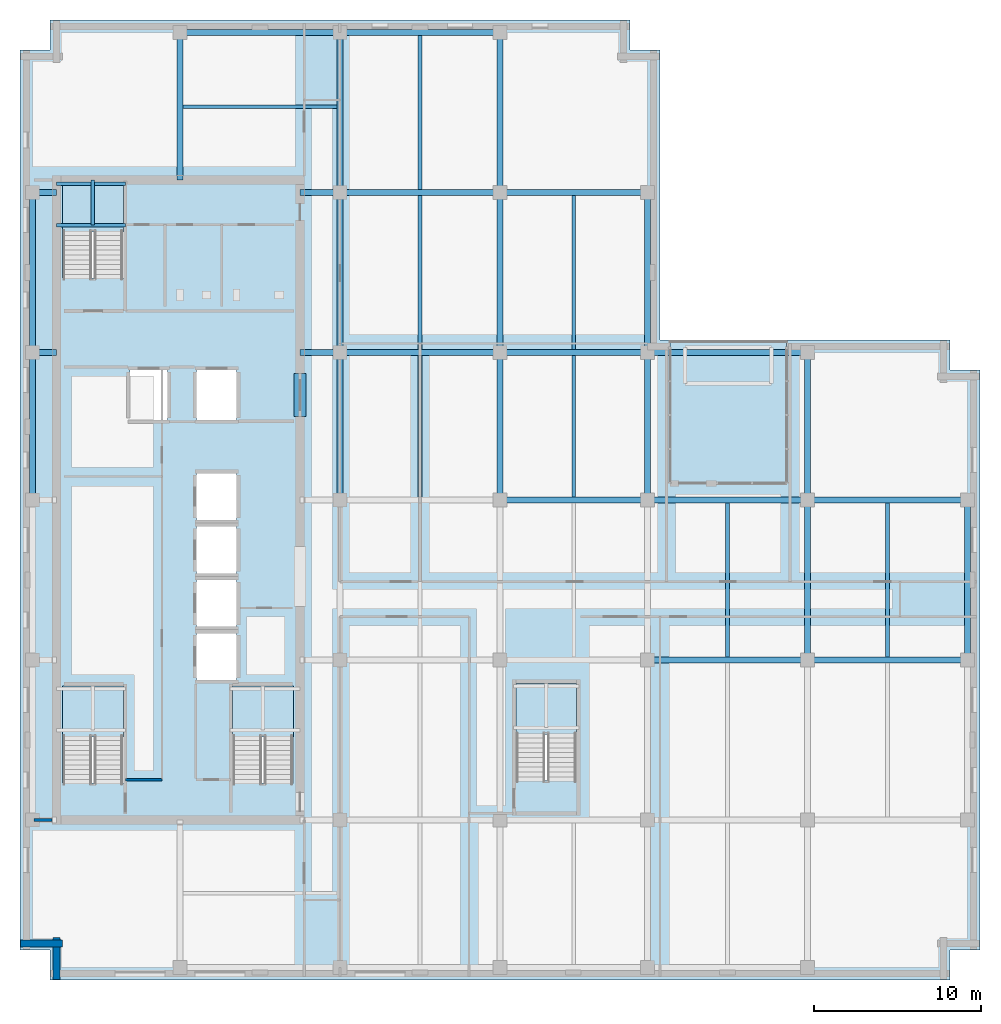
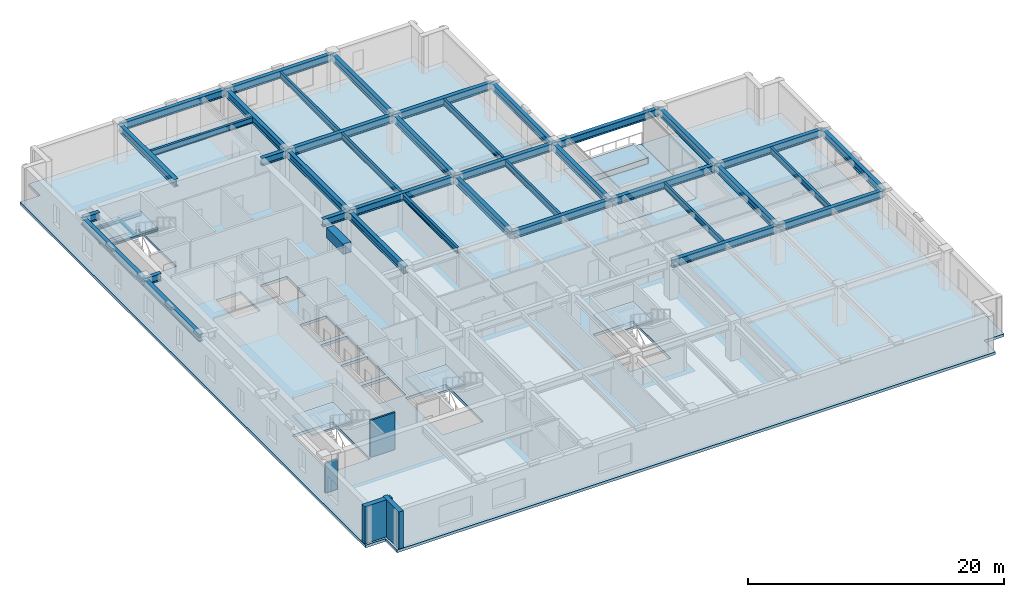
# One storey, part 2 of 14: 42 beams, 7 slabs, 4 walls, 4 elements without a shape of their own.
"""IFC4 building model written with IfcOpenShell, lengths in metres."""

from ifc_helpers import new_model, si_unit, direction, frame, frame_2d, origin, origin_2d, place, context, subcontext, project, spatial, polyline, rectangle, i_section, outline, extrude, material, layer, layer_set, material_profile, profile_set, type_object, element, aggregate, save


model = new_model("IFC4")

# Units and contexts
model_context = context("Model", 3, precision=1e-05, world=origin(), true_north=direction((0.0, 1.0)))
body_context = subcontext(model_context, "Body", "Model", "MODEL_VIEW")
ifc_project = project(units=[si_unit("LENGTHUNIT", "METRE"), si_unit("AREAUNIT", "SQUARE_METRE"), si_unit("VOLUMEUNIT", "CUBIC_METRE"), si_unit("PLANEANGLEUNIT", "RADIAN"), si_unit("MASSUNIT", "GRAM", prefix="KILO")], contexts=[model_context])

# Site, building, storey
site_placement = place(None, origin())
site = spatial("IfcSite", under=ifc_project, at=site_placement, CompositionType="ELEMENT")
building_placement = place(site_placement, origin())
building = spatial("IfcBuilding", under=site, at=building_placement, Name="Norrvale University Quadrangle", CompositionType="ELEMENT")
storey_placement = place(building_placement, frame((0.0, 0.0, 221.800048828125)))
storey = spatial("IfcBuildingStorey", under=building, at=storey_placement, Name="L56", CompositionType="ELEMENT", Elevation=221.800048828125)

# Beams
ifc_material_1 = material(Name="Steel 350W", Category="steel")
ifc_material_profile_1 = material_profile(ifc_material_1, i_section(OverallWidth=0.35498046875, OverallDepth=0.695068359375, WebThickness=0.015380859375, FlangeThickness=0.02490234375, FilletRadius=0.01806640625, at=origin_2d()), Name="Steel 350W")
ifc_profile_set_1 = profile_set([ifc_material_profile_1], Name="Steel 350W")
beam_type_1 = type_object("IfcBeamType", Name="Beam Belt W690x217", PredefinedType="BEAM", material=ifc_profile_set_1)
for number, where, z_axis, x_axis, name in (
    (1, (37.64990234375, 19.199951171875, 3.1923828125), (1.0, 0.0, 0.0), (0.0, 1.0, 0.0), "Beam Belt W690x217 BM-L56-GX011"),
    (2, (47.25, 19.199951171875, 3.1923828125), (1.0, 0.0, 0.0), (0.0, 1.0, 0.0), "Beam Belt W690x217 BM-L56-GX012"),
):
    element("IfcBeam", number, at=place(storey_placement, frame(where, z_axis=z_axis, x_axis=x_axis)), inside=storey, type_object=beam_type_1, Name=name, PredefinedType="BEAM", context=body_context, shape_type="SweptSolid", body=[
        extrude(i_section(OverallWidth=0.35498046875, OverallDepth=0.695068359375, WebThickness=0.015380859375, FlangeThickness=0.02490234375, FilletRadius=0.01806640625, at=origin_2d()), origin(), (0.0, 0.0, 1.0), 9.60009765625),
    ])
beam_1_placement = place(storey_placement, frame((28.800048828125, 28.800048828125, 3.1923828125), z_axis=(1.0, 0.0, 0.0), x_axis=(0.0, 1.0, 0.0)))
element("IfcBeam", 3, at=beam_1_placement, inside=storey, type_object=beam_type_1, Name="Beam Belt W690x217 BM-L56-GX014", PredefinedType="BEAM", context=body_context, shape_type="SweptSolid", body=[
    extrude(i_section(OverallWidth=0.35498046875, OverallDepth=0.695068359375, WebThickness=0.015380859375, FlangeThickness=0.02490234375, FilletRadius=0.01806640625, at=origin_2d()), origin(), (0.0, 0.0, 1.0), 8.849853515625),
])
for number, where, z_axis, x_axis, name in (
    (4, (37.64990234375, 28.800048828125, 3.1923828125), (1.0, 0.0, 0.0), (0.0, 1.0, 0.0), "Beam Belt W690x217 BM-L56-GX015"),
    (5, (47.25, 28.800048828125, 3.1923828125), (1.0, 0.0, 0.0), (0.0, 1.0, 0.0), "Beam Belt W690x217 BM-L56-GX016"),
    (6, (19.199951171875, 37.64990234375, 3.1923828125), (1.0, 0.0, 0.0), (0.0, 1.0, 0.0), "Beam Belt W690x217 BM-L56-GX017"),
):
    element("IfcBeam", number, at=place(storey_placement, frame(where, z_axis=z_axis, x_axis=x_axis)), inside=storey, type_object=beam_type_1, Name=name, PredefinedType="BEAM", context=body_context, shape_type="SweptSolid", body=[
        extrude(i_section(OverallWidth=0.35498046875, OverallDepth=0.695068359375, WebThickness=0.015380859375, FlangeThickness=0.02490234375, FilletRadius=0.01806640625, at=origin_2d()), origin(), (0.0, 0.0, 1.0), 9.60009765625),
    ])
beam_2_placement = place(storey_placement, frame((28.800048828125, 37.64990234375, 3.1923828125), z_axis=(1.0, 0.0, 0.0), x_axis=(0.0, 1.0, 0.0)))
element("IfcBeam", 7, at=beam_2_placement, inside=storey, type_object=beam_type_1, Name="Beam Belt W690x217 BM-L56-GX018", PredefinedType="BEAM", context=body_context, shape_type="SweptSolid", body=[
    extrude(i_section(OverallWidth=0.35498046875, OverallDepth=0.695068359375, WebThickness=0.015380859375, FlangeThickness=0.02490234375, FilletRadius=0.01806640625, at=origin_2d()), origin(), (0.0, 0.0, 1.0), 8.849853515625),
])
for number, where, z_axis, x_axis, name in (
    (8, (37.64990234375, 37.64990234375, 3.1923828125), (1.0, 0.0, 0.0), (0.0, 1.0, 0.0), "Beam Belt W690x217 BM-L56-GX019"),
    (9, (19.199951171875, 47.25, 3.1923828125), (1.0, 0.0, 0.0), (0.0, 1.0, 0.0), "Beam Belt W690x217 BM-L56-GX020"),
):
    element("IfcBeam", number, at=place(storey_placement, frame(where, z_axis=z_axis, x_axis=x_axis)), inside=storey, type_object=beam_type_1, Name=name, PredefinedType="BEAM", context=body_context, shape_type="SweptSolid", body=[
        extrude(i_section(OverallWidth=0.35498046875, OverallDepth=0.695068359375, WebThickness=0.015380859375, FlangeThickness=0.02490234375, FilletRadius=0.01806640625, at=origin_2d()), origin(), (0.0, 0.0, 1.0), 9.60009765625),
    ])
beam_3_placement = place(storey_placement, frame((28.800048828125, 47.25, 3.1923828125), z_axis=(1.0, 0.0, 0.0), x_axis=(0.0, 1.0, 0.0)))
element("IfcBeam", 10, at=beam_3_placement, inside=storey, type_object=beam_type_1, Name="Beam Belt W690x217 BM-L56-GX021", PredefinedType="BEAM", context=body_context, shape_type="SweptSolid", body=[
    extrude(i_section(OverallWidth=0.35498046875, OverallDepth=0.695068359375, WebThickness=0.015380859375, FlangeThickness=0.02490234375, FilletRadius=0.01806640625, at=origin_2d()), origin(), (0.0, 0.0, 1.0), 8.849853515625),
])
beam_4_placement = place(storey_placement, frame((9.60009765625, 56.85009765625, 3.1923828125), z_axis=(1.0, 0.0, 0.0), x_axis=(0.0, 1.0, 0.0)))
element("IfcBeam", 11, at=beam_4_placement, inside=storey, type_object=beam_type_1, Name="Beam Belt W690x217 BM-L56-GX022", PredefinedType="BEAM", context=body_context, shape_type="SweptSolid", body=[
    extrude(i_section(OverallWidth=0.35498046875, OverallDepth=0.695068359375, WebThickness=0.015380859375, FlangeThickness=0.02490234375, FilletRadius=0.01806640625, at=origin_2d()), origin(), (0.0, 0.0, 1.0), 9.599853515625),
])
beam_5_placement = place(storey_placement, frame((19.199951171875, 56.85009765625, 3.1923828125), z_axis=(1.0, 0.0, 0.0), x_axis=(0.0, 1.0, 0.0)))
element("IfcBeam", 12, at=beam_5_placement, inside=storey, type_object=beam_type_1, Name="Beam Belt W690x217 BM-L56-GX023", PredefinedType="BEAM", context=body_context, shape_type="SweptSolid", body=[
    extrude(i_section(OverallWidth=0.35498046875, OverallDepth=0.695068359375, WebThickness=0.015380859375, FlangeThickness=0.02490234375, FilletRadius=0.01806640625, at=origin_2d()), origin(), (0.0, 0.0, 1.0), 9.60009765625),
])
beam_6_placement = place(storey_placement, frame((0.75, 28.800048828125, 3.1923828125), z_axis=(0.0, 1.0, 0.0), x_axis=(-1.0, 0.0, 0.0)))
element("IfcBeam", 13, at=beam_6_placement, inside=storey, type_object=beam_type_1, Name="Beam Belt W690x217 BM-L56-GY026", PredefinedType="BEAM", context=body_context, shape_type="SweptSolid", body=[
    extrude(i_section(OverallWidth=0.35498046875, OverallDepth=0.695068359375, WebThickness=0.015380859375, FlangeThickness=0.02490234375, FilletRadius=0.01806640625, at=origin_2d()), origin(), (0.0, 0.0, 1.0), 8.849853515625),
])
beam_7_placement = place(storey_placement, frame((0.75, 37.64990234375, 3.1923828125), z_axis=(0.0, 1.0, 0.0), x_axis=(-1.0, 0.0, 0.0)))
element("IfcBeam", 14, at=beam_7_placement, inside=storey, type_object=beam_type_1, Name="Beam Belt W690x217 BM-L56-GY027", PredefinedType="BEAM", context=body_context, shape_type="SweptSolid", body=[
    extrude(i_section(OverallWidth=0.35498046875, OverallDepth=0.695068359375, WebThickness=0.015380859375, FlangeThickness=0.02490234375, FilletRadius=0.01806640625, at=origin_2d()), origin(), (0.0, 0.0, 1.0), 9.60009765625),
])
beam_8_placement = place(storey_placement, frame((19.199951171875, 28.800048828125, 3.1923828125), z_axis=(0.0, 1.0, 0.0), x_axis=(-1.0, 0.0, 0.0)))
element("IfcBeam", 15, at=beam_8_placement, inside=storey, type_object=beam_type_1, Name="Beam Belt W690x217 BM-L56-GY031", PredefinedType="BEAM", context=body_context, shape_type="SweptSolid", body=[
    extrude(i_section(OverallWidth=0.35498046875, OverallDepth=0.695068359375, WebThickness=0.015380859375, FlangeThickness=0.02490234375, FilletRadius=0.01806640625, at=origin_2d()), origin(), (0.0, 0.0, 1.0), 8.849853515625),
])
for number, where, z_axis, x_axis, name in (
    (16, (19.199951171875, 37.64990234375, 3.1923828125), (0.0, 1.0, 0.0), (-1.0, 0.0, 0.0), "Beam Belt W690x217 BM-L56-GY032"),
    (17, (19.199951171875, 47.25, 3.1923828125), (0.0, 1.0, 0.0), (-1.0, 0.0, 0.0), "Beam Belt W690x217 BM-L56-GY033"),
):
    element("IfcBeam", number, at=place(storey_placement, frame(where, z_axis=z_axis, x_axis=x_axis)), inside=storey, type_object=beam_type_1, Name=name, PredefinedType="BEAM", context=body_context, shape_type="SweptSolid", body=[
        extrude(i_section(OverallWidth=0.35498046875, OverallDepth=0.695068359375, WebThickness=0.015380859375, FlangeThickness=0.02490234375, FilletRadius=0.01806640625, at=origin_2d()), origin(), (0.0, 0.0, 1.0), 9.60009765625),
    ])
beam_9_placement = place(storey_placement, frame((28.800048828125, 28.800048828125, 3.1923828125), z_axis=(0.0, 1.0, 0.0), x_axis=(-1.0, 0.0, 0.0)))
element("IfcBeam", 18, at=beam_9_placement, inside=storey, type_object=beam_type_1, Name="Beam Belt W690x217 BM-L56-GY037", PredefinedType="BEAM", context=body_context, shape_type="SweptSolid", body=[
    extrude(i_section(OverallWidth=0.35498046875, OverallDepth=0.695068359375, WebThickness=0.015380859375, FlangeThickness=0.02490234375, FilletRadius=0.01806640625, at=origin_2d()), origin(), (0.0, 0.0, 1.0), 8.849853515625),
])
for number, where, z_axis, x_axis, name in (
    (19, (28.800048828125, 37.64990234375, 3.1923828125), (0.0, 1.0, 0.0), (-1.0, 0.0, 0.0), "Beam Belt W690x217 BM-L56-GY038"),
    (20, (28.800048828125, 47.25, 3.1923828125), (0.0, 1.0, 0.0), (-1.0, 0.0, 0.0), "Beam Belt W690x217 BM-L56-GY039"),
):
    element("IfcBeam", number, at=place(storey_placement, frame(where, z_axis=z_axis, x_axis=x_axis)), inside=storey, type_object=beam_type_1, Name=name, PredefinedType="BEAM", context=body_context, shape_type="SweptSolid", body=[
        extrude(i_section(OverallWidth=0.35498046875, OverallDepth=0.695068359375, WebThickness=0.015380859375, FlangeThickness=0.02490234375, FilletRadius=0.01806640625, at=origin_2d()), origin(), (0.0, 0.0, 1.0), 9.60009765625),
    ])
beam_10_placement = place(storey_placement, frame((37.64990234375, 28.800048828125, 3.1923828125), z_axis=(0.0, 1.0, 0.0), x_axis=(-1.0, 0.0, 0.0)))
element("IfcBeam", 21, at=beam_10_placement, inside=storey, type_object=beam_type_1, Name="Beam Belt W690x217 BM-L56-GY043", PredefinedType="BEAM", context=body_context, shape_type="SweptSolid", body=[
    extrude(i_section(OverallWidth=0.35498046875, OverallDepth=0.695068359375, WebThickness=0.015380859375, FlangeThickness=0.02490234375, FilletRadius=0.01806640625, at=origin_2d()), origin(), (0.0, 0.0, 1.0), 8.849853515625),
])
for number, where, z_axis, x_axis, name in (
    (22, (37.64990234375, 37.64990234375, 3.1923828125), (0.0, 1.0, 0.0), (-1.0, 0.0, 0.0), "Beam Belt W690x217 BM-L56-GY044"),
    (23, (47.25, 19.199951171875, 3.1923828125), (0.0, 1.0, 0.0), (-1.0, 0.0, 0.0), "Beam Belt W690x217 BM-L56-GY047"),
):
    element("IfcBeam", number, at=place(storey_placement, frame(where, z_axis=z_axis, x_axis=x_axis)), inside=storey, type_object=beam_type_1, Name=name, PredefinedType="BEAM", context=body_context, shape_type="SweptSolid", body=[
        extrude(i_section(OverallWidth=0.35498046875, OverallDepth=0.695068359375, WebThickness=0.015380859375, FlangeThickness=0.02490234375, FilletRadius=0.01806640625, at=origin_2d()), origin(), (0.0, 0.0, 1.0), 9.60009765625),
    ])
beam_11_placement = place(storey_placement, frame((47.25, 28.800048828125, 3.1923828125), z_axis=(0.0, 1.0, 0.0), x_axis=(-1.0, 0.0, 0.0)))
element("IfcBeam", 24, at=beam_11_placement, inside=storey, type_object=beam_type_1, Name="Beam Belt W690x217 BM-L56-GY048", PredefinedType="BEAM", context=body_context, shape_type="SweptSolid", body=[
    extrude(i_section(OverallWidth=0.35498046875, OverallDepth=0.695068359375, WebThickness=0.015380859375, FlangeThickness=0.02490234375, FilletRadius=0.01806640625, at=origin_2d()), origin(), (0.0, 0.0, 1.0), 8.849853515625),
])
beam_12_placement = place(storey_placement, frame((56.85009765625, 19.199951171875, 3.1923828125), z_axis=(0.0, 1.0, 0.0), x_axis=(-1.0, 0.0, 0.0)))
element("IfcBeam", 25, at=beam_12_placement, inside=storey, type_object=beam_type_1, Name="Beam Belt W690x217 BM-L56-GY050", PredefinedType="BEAM", context=body_context, shape_type="SweptSolid", body=[
    extrude(i_section(OverallWidth=0.35498046875, OverallDepth=0.695068359375, WebThickness=0.015380859375, FlangeThickness=0.02490234375, FilletRadius=0.01806640625, at=origin_2d()), origin(), (0.0, 0.0, 1.0), 9.60009765625),
])
beam_13_placement = place(storey_placement, frame((0.75, 37.64990234375, 3.1923828125), z_axis=(1.0, 0.0, 0.0), x_axis=(0.0, 1.0, 0.0)))
element("IfcBeam", 26, at=beam_13_placement, inside=storey, type_object=beam_type_1, Name="Beam Belt W690x217 BM-L56-GCW057", PredefinedType="BEAM", context=body_context, shape_type="SweptSolid", body=[
    extrude(i_section(OverallWidth=0.35498046875, OverallDepth=0.695068359375, WebThickness=0.015380859375, FlangeThickness=0.02490234375, FilletRadius=0.01806640625, at=origin_2d()), origin(), (0.0, 0.0, 1.0), 1.449951171875),
])
beam_14_placement = place(storey_placement, frame((16.800048828125, 37.64990234375, 3.1923828125), z_axis=(1.0, 0.0, 0.0), x_axis=(0.0, 1.0, 0.0)))
element("IfcBeam", 27, at=beam_14_placement, inside=storey, type_object=beam_type_1, Name="Beam Belt W690x217 BM-L56-GCE058", PredefinedType="BEAM", context=body_context, shape_type="SweptSolid", body=[
    extrude(i_section(OverallWidth=0.35498046875, OverallDepth=0.695068359375, WebThickness=0.015380859375, FlangeThickness=0.02490234375, FilletRadius=0.01806640625, at=origin_2d()), origin(), (0.0, 0.0, 1.0), 2.39990234375),
])
beam_15_placement = place(storey_placement, frame((0.75, 47.25, 3.1923828125), z_axis=(1.0, 0.0, 0.0), x_axis=(0.0, 1.0, 0.0)))
element("IfcBeam", 28, at=beam_15_placement, inside=storey, type_object=beam_type_1, Name="Beam Belt W690x217 BM-L56-GCW059", PredefinedType="BEAM", context=body_context, shape_type="SweptSolid", body=[
    extrude(i_section(OverallWidth=0.35498046875, OverallDepth=0.695068359375, WebThickness=0.015380859375, FlangeThickness=0.02490234375, FilletRadius=0.01806640625, at=origin_2d()), origin(), (0.0, 0.0, 1.0), 1.449951171875),
])
beam_16_placement = place(storey_placement, frame((16.800048828125, 47.25, 3.1923828125), z_axis=(1.0, 0.0, 0.0), x_axis=(0.0, 1.0, 0.0)))
element("IfcBeam", 29, at=beam_16_placement, inside=storey, type_object=beam_type_1, Name="Beam Belt W690x217 BM-L56-GCE060", PredefinedType="BEAM", context=body_context, shape_type="SweptSolid", body=[
    extrude(i_section(OverallWidth=0.35498046875, OverallDepth=0.695068359375, WebThickness=0.015380859375, FlangeThickness=0.02490234375, FilletRadius=0.01806640625, at=origin_2d()), origin(), (0.0, 0.0, 1.0), 2.39990234375),
])
beam_17_placement = place(storey_placement, frame((9.60009765625, 48.0, 3.1923828125), z_axis=(0.0, 1.0, 0.0), x_axis=(-1.0, 0.0, 0.0)))
element("IfcBeam", 30, at=beam_17_placement, inside=storey, type_object=beam_type_1, Name="Beam Belt W690x217 BM-L56-GCN078", PredefinedType="BEAM", context=body_context, shape_type="SweptSolid", body=[
    extrude(i_section(OverallWidth=0.35498046875, OverallDepth=0.695068359375, WebThickness=0.015380859375, FlangeThickness=0.02490234375, FilletRadius=0.01806640625, at=origin_2d()), origin(), (0.0, 0.0, 1.0), 8.85009765625),
])
ifc_material_2 = material(Name="Concrete C80/95", Category="concrete")
ifc_material_profile_2 = material_profile(ifc_material_2, rectangle(XDim=0.699951171875, YDim=0.949951171875, at=origin_2d()), Name="Concrete C80/95")
ifc_profile_set_2 = profile_set([ifc_material_profile_2], Name="Concrete C80/95")
beam_type_2 = type_object("IfcBeamType", Name="Beam Core Link 700x950", PredefinedType="LINTEL", material=ifc_profile_set_2)
beam_18_placement = place(storey_placement, frame((16.800048828125, 33.800048828125, 3.06494140625), z_axis=(0.0, 1.0, 0.0), x_axis=(-1.0, 0.0, 0.0)))
element("IfcBeam", 31, at=beam_18_placement, inside=storey, type_object=beam_type_2, Name="Core Coupling Lintel Beam L56-2", PredefinedType="LINTEL", context=body_context, shape_type="SweptSolid", body=[
    extrude(rectangle(XDim=0.699951171875, YDim=0.949951171875, at=origin_2d()), origin(), (0.0, 0.0, 1.0), 2.599853515625),
])
ifc_material_profile_3 = material_profile(ifc_material_1, i_section(OverallWidth=0.2119140625, OverallDepth=0.5439453125, WebThickness=0.01318359375, FlangeThickness=0.021240234375, FilletRadius=0.013916015625, at=origin_2d()), Name="Steel 350W")
ifc_profile_set_3 = profile_set([ifc_material_profile_3], Name="Steel 350W")
beam_type_3 = type_object("IfcBeamType", Name="Beam Floor W530x123", PredefinedType="BEAM", material=ifc_profile_set_3)
beam_19_placement = place(storey_placement, frame((24.0, 28.9775390625, 3.26806640625), z_axis=(0.0, 1.0, 0.0), x_axis=(-1.0, 0.0, 0.0)))
element("IfcBeam", 32, at=beam_19_placement, inside=storey, type_object=beam_type_3, Name="Beam Floor W530x123 BM-L56-J064", PredefinedType="BEAM", context=body_context, shape_type="SweptSolid", body=[
    extrude(i_section(OverallWidth=0.2119140625, OverallDepth=0.5439453125, WebThickness=0.01318359375, FlangeThickness=0.021240234375, FilletRadius=0.013916015625, at=origin_2d()), origin(), (0.0, 0.0, 1.0), 8.494873046875),
])
for number, where, z_axis, x_axis, name in (
    (33, (24.0, 37.827392578125, 3.26806640625), (0.0, 1.0, 0.0), (-1.0, 0.0, 0.0), "Beam Floor W530x123 BM-L56-J065"),
    (34, (24.0, 47.427490234375, 3.26806640625), (0.0, 1.0, 0.0), (-1.0, 0.0, 0.0), "Beam Floor W530x123 BM-L56-J066"),
):
    element("IfcBeam", number, at=place(storey_placement, frame(where, z_axis=z_axis, x_axis=x_axis)), inside=storey, type_object=beam_type_3, Name=name, PredefinedType="BEAM", context=body_context, shape_type="SweptSolid", body=[
        extrude(i_section(OverallWidth=0.2119140625, OverallDepth=0.5439453125, WebThickness=0.01318359375, FlangeThickness=0.021240234375, FilletRadius=0.013916015625, at=origin_2d()), origin(), (0.0, 0.0, 1.0), 9.2451171875),
    ])
beam_20_placement = place(storey_placement, frame((33.22509765625, 28.9775390625, 3.26806640625), z_axis=(0.0, 1.0, 0.0), x_axis=(-1.0, 0.0, 0.0)))
element("IfcBeam", 35, at=beam_20_placement, inside=storey, type_object=beam_type_3, Name="Beam Floor W530x123 BM-L56-J069", PredefinedType="BEAM", context=body_context, shape_type="SweptSolid", body=[
    extrude(i_section(OverallWidth=0.2119140625, OverallDepth=0.5439453125, WebThickness=0.01318359375, FlangeThickness=0.021240234375, FilletRadius=0.013916015625, at=origin_2d()), origin(), (0.0, 0.0, 1.0), 8.494873046875),
])
for number, where, z_axis, x_axis, name in (
    (36, (33.22509765625, 37.827392578125, 3.26806640625), (0.0, 1.0, 0.0), (-1.0, 0.0, 0.0), "Beam Floor W530x123 BM-L56-J070"),
    (37, (42.449951171875, 19.37744140625, 3.26806640625), (0.0, 1.0, 0.0), (-1.0, 0.0, 0.0), "Beam Floor W530x123 BM-L56-J073"),
    (38, (52.050048828125, 19.37744140625, 3.26806640625), (0.0, 1.0, 0.0), (-1.0, 0.0, 0.0), "Beam Floor W530x123 BM-L56-J075"),
):
    element("IfcBeam", number, at=place(storey_placement, frame(where, z_axis=z_axis, x_axis=x_axis)), inside=storey, type_object=beam_type_3, Name=name, PredefinedType="BEAM", context=body_context, shape_type="SweptSolid", body=[
        extrude(i_section(OverallWidth=0.2119140625, OverallDepth=0.5439453125, WebThickness=0.01318359375, FlangeThickness=0.021240234375, FilletRadius=0.013916015625, at=origin_2d()), origin(), (0.0, 0.0, 1.0), 9.2451171875),
    ])
beam_21_placement = place(storey_placement, frame((9.777587890625, 52.39990234375, 3.26806640625), z_axis=(1.0, 0.0, 0.0), x_axis=(0.0, 1.0, 0.0)))
element("IfcBeam", 39, at=beam_21_placement, inside=storey, type_object=beam_type_3, Name="Beam Floor W530x123 BM-L56-JCN079", PredefinedType="BEAM", context=body_context, shape_type="SweptSolid", body=[
    extrude(i_section(OverallWidth=0.2119140625, OverallDepth=0.5439453125, WebThickness=0.01318359375, FlangeThickness=0.021240234375, FilletRadius=0.013916015625, at=origin_2d()), origin(), (0.0, 0.0, 1.0), 9.244873046875),
])
ifc_material_profile_4 = material_profile(ifc_material_1, i_section(OverallWidth=0.201904296875, OverallDepth=0.2470703125, WebThickness=0.00732421875, FlangeThickness=0.010986328125, FilletRadius=0.011962890625, at=origin_2d()), Name="Steel 350W")
ifc_profile_set_4 = profile_set([ifc_material_profile_4], Name="Steel 350W")
beam_type_4 = type_object("IfcBeamType", Name="Beam Stair W250x49", PredefinedType="BEAM", material=ifc_profile_set_4)
for number, where, z_axis, x_axis, name in (
    (40, (2.199951171875, 45.2900390625, 1.576416015625), (1.0, 0.0, 0.0), (0.0, 1.0, 0.0), "Stair Mid-Landing Front Beam ST-02 L56"),
    (41, (2.199951171875, 47.77001953125, 1.576416015625), (1.0, 0.0, 0.0), (0.0, 1.0, 0.0), "Stair Mid-Landing Rear Beam ST-02 L56"),
):
    element("IfcBeam", number, at=place(storey_placement, frame(where, z_axis=z_axis, x_axis=x_axis)), inside=storey, type_object=beam_type_4, Name=name, PredefinedType="BEAM", context=body_context, shape_type="SweptSolid", body=[
        extrude(i_section(OverallWidth=0.201904296875, OverallDepth=0.2470703125, WebThickness=0.00732421875, FlangeThickness=0.010986328125, FilletRadius=0.011962890625, at=origin_2d()), origin(), (0.0, 0.0, 1.0), 4.14013671875),
    ])
ifc_material_profile_5 = material_profile(ifc_material_1, i_section(OverallWidth=0.202880859375, OverallDepth=0.202880859375, WebThickness=0.007080078125, FlangeThickness=0.010986328125, FilletRadius=0.010009765625, at=origin_2d()), Name="Steel 350W")
ifc_profile_set_5 = profile_set([ifc_material_profile_5], Name="Steel 350W")
beam_type_5 = type_object("IfcBeamType", Name="Beam Trim W200x46", PredefinedType="BEAM", material=ifc_profile_set_5)
beam_22_placement = place(storey_placement, frame((4.375, 45.2900390625, 1.598388671875), z_axis=(0.0, 1.0, 0.0), x_axis=(-1.0, 0.0, 0.0)))
element("IfcBeam", 42, at=beam_22_placement, inside=storey, type_object=beam_type_5, Name="Stair Mid-Landing Cross Beam ST-02 L56", PredefinedType="BEAM", context=body_context, shape_type="SweptSolid", body=[
    extrude(i_section(OverallWidth=0.202880859375, OverallDepth=0.202880859375, WebThickness=0.007080078125, FlangeThickness=0.010986328125, FilletRadius=0.010009765625, at=origin_2d()), origin(), (0.0, 0.0, 1.0), 2.7099609375),
])

# Stair, slab
ifc_material_3 = material(Name="Concrete C40/50", Category="concrete")
stair_type = type_object("IfcStairType", Name="Stair Tower Typ 3800", PredefinedType="TWO_STRAIGHT_RUN_STAIR", material=ifc_material_3)
stair_1_placement = place(storey_placement, origin())
stair_1 = element("IfcStair", 43, at=stair_1_placement, inside=storey, type_object=stair_type, Name="Exit Stair ST-01 L56", PredefinedType="TWO_STRAIGHT_RUN_STAIR")
ifc_layer_1 = layer(ifc_material_3, 0.199951171875, Name="Concrete C40/50")
ifc_layer_set_1 = layer_set([ifc_layer_1], Name="Concrete C40/50")
slab_type_1 = type_object("IfcSlabType", Name="Slab Landing 200", PredefinedType="LANDING", material=ifc_layer_set_1)
slab_1_placement = place(storey_placement, frame((0.0, 0.0, 1.699951171875)))
slab_1 = element("IfcSlab", 44, at=slab_1_placement, type_object=slab_type_1, Name="Exit Stair ST-01 L56 Mid Landing", PredefinedType="LANDING", context=body_context, shape_type="SweptSolid", body=[
    extrude(outline(polyline([(2.550048828125, 14.590087890625), (6.199951171875, 14.590087890625), (6.199951171875, 17.64990234375), (2.550048828125, 17.64990234375), (2.550048828125, 14.590087890625)])), origin(), (0.0, 0.0, 1.0), 0.199951171875),
])
aggregate(stair_1, [slab_1])

stair_2_placement = place(storey_placement, origin())
stair_2 = element("IfcStair", 45, at=stair_2_placement, inside=storey, type_object=stair_type, Name="Exit Stair ST-02 L56", PredefinedType="TWO_STRAIGHT_RUN_STAIR")
slab_2_placement = place(storey_placement, frame((0.0, 0.0, 1.699951171875)))
slab_2 = element("IfcSlab", 46, at=slab_2_placement, type_object=slab_type_1, Name="Exit Stair ST-02 L56 Mid Landing", PredefinedType="LANDING", context=body_context, shape_type="SweptSolid", body=[
    extrude(outline(polyline([(2.550048828125, 44.889892578125), (6.199951171875, 44.889892578125), (6.199951171875, 47.949951171875), (2.550048828125, 47.949951171875), (2.550048828125, 44.889892578125)])), origin(), (0.0, 0.0, 1.0), 0.199951171875),
])
aggregate(stair_2, [slab_2])

stair_3_placement = place(storey_placement, origin())
stair_3 = element("IfcStair", 47, at=stair_3_placement, inside=storey, type_object=stair_type, Name="Exit Stair ST-03 L56", PredefinedType="TWO_STRAIGHT_RUN_STAIR")
slab_3_placement = place(storey_placement, frame((0.0, 0.0, 1.699951171875)))
slab_3 = element("IfcSlab", 48, at=slab_3_placement, type_object=slab_type_1, Name="Exit Stair ST-03 L56 Mid Landing", PredefinedType="LANDING", context=body_context, shape_type="SweptSolid", body=[
    extrude(outline(polyline([(12.75, 14.590087890625), (16.39990234375, 14.590087890625), (16.39990234375, 17.64990234375), (12.75, 17.64990234375), (12.75, 14.590087890625)])), origin(), (0.0, 0.0, 1.0), 0.199951171875),
])
aggregate(stair_3, [slab_3])

stair_4_placement = place(storey_placement, origin())
stair_4 = element("IfcStair", 49, at=stair_4_placement, inside=storey, type_object=stair_type, Name="Exit Stair ST-04 L56", PredefinedType="TWO_STRAIGHT_RUN_STAIR")
slab_4_placement = place(storey_placement, frame((0.0, 0.0, 1.699951171875)))
slab_4 = element("IfcSlab", 50, at=slab_4_placement, type_object=slab_type_1, Name="Exit Stair ST-04 L56 Mid Landing", PredefinedType="LANDING", context=body_context, shape_type="SweptSolid", body=[
    extrude(outline(polyline([(29.75, 14.739990234375), (33.39990234375, 14.739990234375), (33.39990234375, 17.800048828125), (29.75, 17.800048828125), (29.75, 14.739990234375)])), origin(), (0.0, 0.0, 1.0), 0.199951171875),
])
aggregate(stair_4, [slab_4])

# Slabs
ifc_material_4 = material(Name="Planted Soil Growing Medium")
ifc_layer_2 = layer(ifc_material_4, 0.570068359375, Name="Planted Soil Growing Medium")
ifc_layer_set_2 = layer_set([ifc_layer_2], Name="Planted Soil Growing Medium")
slab_type_2 = type_object("IfcSlabType", Name="Slab Planter Soil 550", PredefinedType="USERDEFINED", material=ifc_layer_set_2)
slab_5_placement = place(storey_placement, frame((0.0, 0.0, -0.02001953125)))
element("IfcSlab", 51, at=slab_5_placement, inside=storey, type_object=slab_type_2, Name="Sky Garden Planted Soil Bed L56", ObjectType="PLANTER", PredefinedType="USERDEFINED", context=body_context, shape_type="SweptSolid", body=[
    extrude(outline(polyline([(39.89990234375, 35.800048828125), (45.10009765625, 35.800048828125), (45.10009765625, 37.949951171875), (39.89990234375, 37.949951171875), (39.89990234375, 35.800048828125)])), origin(), (0.0, 0.0, 1.0), 0.570068359375),
])
ifc_material_5 = material(Name="Concrete C50/60", Category="concrete")
ifc_layer_3 = layer(ifc_material_5, 0.300048828125, Name="Concrete C50/60")
ifc_layer_set_3 = layer_set([ifc_layer_3], Name="Concrete C50/60")
slab_type_3 = type_object("IfcSlabType", Name="Slab Sky Garden 300", PredefinedType="ROOF", material=ifc_layer_set_3)
slab_6_placement = place(storey_placement, frame((0.0, 0.0, -0.300048828125)))
element("IfcSlab", 52, at=slab_6_placement, inside=storey, type_object=slab_type_3, Name="Planted Sky Garden Terrace Slab L56", PredefinedType="ROOF", context=body_context, shape_type="SweptSolid", body=[
    extrude(outline(polyline([(39.0, 29.800048828125), (46.0, 29.800048828125), (46.0, 38.39990234375), (39.0, 38.39990234375), (39.0, 29.800048828125)])), origin(), (0.0, 0.0, 1.0), 0.300048828125),
])
ifc_layer_4 = layer(ifc_material_3, 0.260009765625, Name="Concrete C40/50")
ifc_layer_set_4 = layer_set([ifc_layer_4], Name="Concrete C40/50")
slab_type_4 = type_object("IfcSlabType", Name="Slab Tower Typ 260", PredefinedType="FLOOR", material=ifc_layer_set_4)
slab_7_placement = place(storey_placement, frame((0.0, 0.0, -0.260009765625)))
element("IfcSlab", 53, at=slab_7_placement, inside=storey, type_object=slab_type_4, Name="Tower L56 Floor Slab", PredefinedType="FLOOR", context=body_context, shape_type="SweptSolid", body=[
    extrude(outline(polyline([(55.800048828125, 38.39990234375), (55.800048828125, 36.60009765625), (57.60009765625, 36.60009765625), (57.60009765625, 1.800048828125), (55.800048828125, 1.800048828125), (55.800048828125, 0.0), (1.800048828125, 0.0), (1.800048828125, 1.800048828125), (0.0, 1.800048828125), (0.0, 55.800048828125), (1.800048828125, 55.800048828125), (1.800048828125, 57.60009765625), (36.60009765625, 57.60009765625), (36.60009765625, 55.800048828125), (38.39990234375, 55.800048828125), (38.39990234375, 38.39990234375), (39.0, 38.39990234375), (39.0, 29.800048828125), (46.0, 29.800048828125), (46.0, 38.39990234375), (55.800048828125, 38.39990234375)]), holes=[polyline([(2.550048828125, 11.81005859375), (6.199951171875, 11.81005859375), (6.199951171875, 17.64990234375), (2.550048828125, 17.64990234375), (2.550048828125, 11.81005859375)]), polyline([(2.550048828125, 42.110107421875), (6.199951171875, 42.110107421875), (6.199951171875, 47.949951171875), (2.550048828125, 47.949951171875), (2.550048828125, 42.110107421875)]), polyline([(12.75, 11.81005859375), (16.39990234375, 11.81005859375), (16.39990234375, 17.64990234375), (12.75, 17.64990234375), (12.75, 11.81005859375)]), polyline([(29.75, 11.9599609375), (33.39990234375, 11.9599609375), (33.39990234375, 17.800048828125), (29.75, 17.800048828125), (29.75, 11.9599609375)]), polyline([(10.60009765625, 18.0), (13.0, 18.0), (13.0, 20.800048828125), (10.60009765625, 20.800048828125), (10.60009765625, 18.0)]), polyline([(10.60009765625, 21.199951171875), (13.0, 21.199951171875), (13.0, 24.0), (10.60009765625, 24.0), (10.60009765625, 21.199951171875)]), polyline([(10.60009765625, 24.39990234375), (13.0, 24.39990234375), (13.0, 27.199951171875), (10.60009765625, 27.199951171875), (10.60009765625, 24.39990234375)]), polyline([(10.60009765625, 27.60009765625), (13.0, 27.60009765625), (13.0, 30.39990234375), (10.60009765625, 30.39990234375), (10.60009765625, 27.60009765625)]), polyline([(6.60009765625, 33.60009765625), (8.85009765625, 33.60009765625), (8.85009765625, 36.60009765625), (6.60009765625, 36.60009765625), (6.60009765625, 33.60009765625)]), polyline([(10.60009765625, 33.60009765625), (13.0, 33.60009765625), (13.0, 36.60009765625), (10.60009765625, 36.60009765625), (10.60009765625, 33.60009765625)])]), origin(), (0.0, 0.0, 1.0), 0.260009765625),
])

# Walls
ifc_material_6 = material(Name="Buff Norman Clay Brick Masonry", Category="masonry")
ifc_layer_5 = layer(ifc_material_6, 0.419921875, Name="Buff Norman Clay Brick Masonry")
ifc_layer_set_5 = layer_set([ifc_layer_5], Name="Buff Norman Clay Brick Masonry")
wall_type_1 = type_object("IfcWallType", Name="Wall Buff Brick 420", PredefinedType="SOLIDWALL", material=ifc_layer_set_5)
for number, where, z_axis, x_axis, name in (
    (54, (0.0400390625, 2.18994140625, 0.0), (0.0, 0.0, 1.0), (1.0, 0.0, 0.0), "Exterior Brick Facade Wall L56-15.1"),
    (55, (2.18994140625, 2.5400390625, 0.0), (0.0, 0.0, 1.0), (0.0, -1.0, 0.0), "Exterior Brick Facade Wall L56-16.1"),
):
    element("IfcWall", number, at=place(storey_placement, frame(where, z_axis=z_axis, x_axis=x_axis)), inside=storey, type_object=wall_type_1, Name=name, PredefinedType="SOLIDWALL", context=body_context, shape_type="SweptSolid", body=[
        extrude(rectangle(XDim=2.5, YDim=0.419921875, at=frame_2d((1.25, 0.0))), origin(), (0.0, 0.0, 1.0), 3.5400390625),
    ])
ifc_material_7 = material(Name="Fire-Rated Gypsum Stud Partition")
ifc_layer_6 = layer(ifc_material_7, 0.14990234375, Name="Fire-Rated Gypsum Stud Partition")
ifc_layer_set_6 = layer_set([ifc_layer_6], Name="Fire-Rated Gypsum Stud Partition")
wall_type_2 = type_object("IfcWallType", Name="Wall Gypsum Corridor 150", PredefinedType="PARTITIONING", material=ifc_layer_set_6)
wall_1_placement = place(storey_placement, frame((6.320068359375, 12.02001953125, 0.0), z_axis=(0.0, 0.0, 1.0), x_axis=(1.0, 0.0, 0.0)))
element("IfcWall", 56, at=wall_1_placement, inside=storey, type_object=wall_type_2, Name="Interior Partition WL-L56-REC-S", PredefinedType="PARTITIONING", context=body_context, shape_type="SweptSolid", body=[
    extrude(rectangle(XDim=2.199951171875, YDim=0.14990234375, at=frame_2d((1.10009765625, 0.0))), origin(), (0.0, 0.0, 1.0), 3.5400390625),
])
ifc_material_8 = material(Name="Concrete Blockwork 20 MPa Rated Wall", Category="masonry")
ifc_layer_7 = layer(ifc_material_8, 0.199951171875, Name="Concrete Blockwork 20 MPa Rated Wall")
ifc_layer_set_7 = layer_set([ifc_layer_7], Name="Concrete Blockwork 20 MPa Rated Wall")
wall_type_3 = type_object("IfcWallType", Name="Wall Lobby 200", PredefinedType="SOLIDWALL", material=ifc_layer_set_7)
wall_2_placement = place(storey_placement, frame((0.85009765625, 9.60009765625, 0.0), z_axis=(0.0, 0.0, 1.0), x_axis=(1.0, 0.0, 0.0)))
element("IfcWall", 57, at=wall_2_placement, inside=storey, type_object=wall_type_3, Name="Interior Partition WL-L56-CWRET-S", PredefinedType="SOLIDWALL", context=body_context, shape_type="SweptSolid", body=[
    extrude(rectangle(XDim=1.06982421875, YDim=0.199951171875, at=frame_2d((0.534912109375, 0.0))), origin(), (0.0, 0.0, 1.0), 2.844970703125),
])

save(model, "model.ifc")
